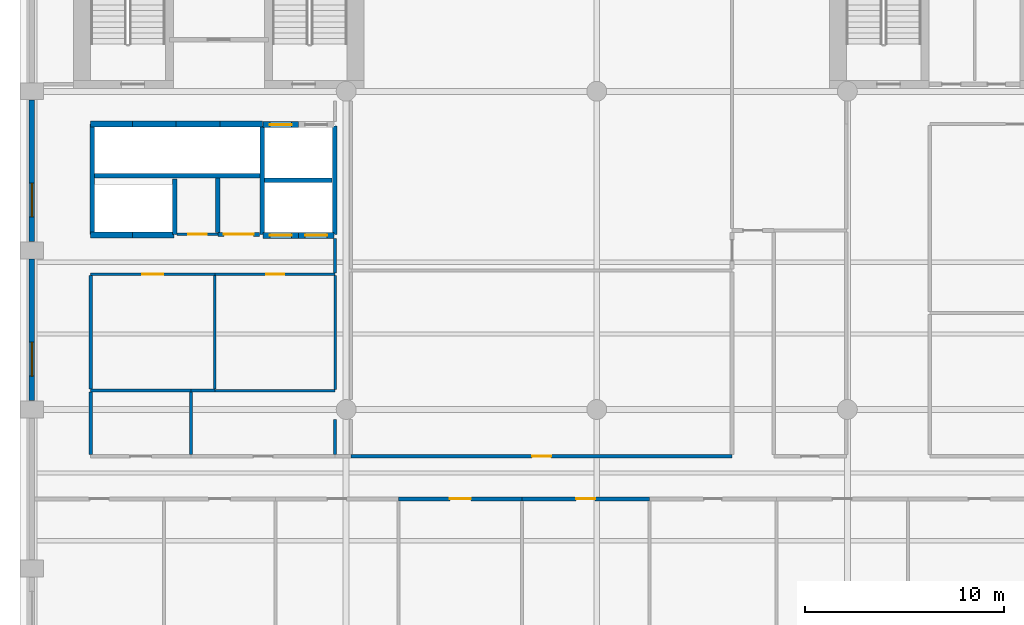
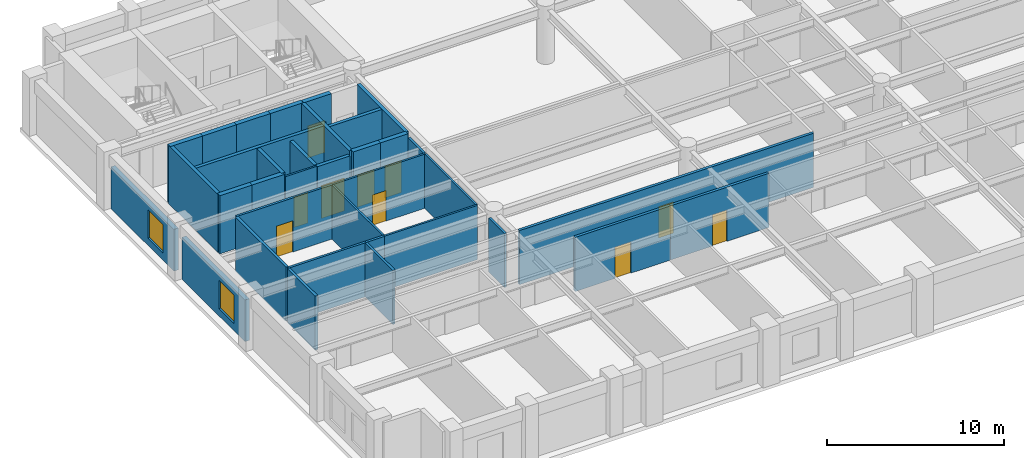
# One storey, part 3 of 8: 35 walls, 10 doors, 2 windows, 12 openings.
"""IFC4 building model written with IfcOpenShell, lengths in metres."""

from ifc_helpers import new_model, si_unit, direction, frame, frame_2d, origin, place, context, subcontext, project, spatial, rectangle, extrude, material, layer, layer_set, type_object, element, fill, save


model = new_model("IFC4")

# Units and contexts
model_context = context("Model", 3, precision=1e-05, world=origin(), true_north=direction((0.0, 1.0)))
body_context = subcontext(model_context, "Body", "Model", "MODEL_VIEW")
ifc_project = project(units=[si_unit("LENGTHUNIT", "METRE"), si_unit("AREAUNIT", "SQUARE_METRE"), si_unit("VOLUMEUNIT", "CUBIC_METRE"), si_unit("PLANEANGLEUNIT", "RADIAN"), si_unit("MASSUNIT", "GRAM", prefix="KILO")], contexts=[model_context])

# Site, building, storey
site_placement = place(None, origin())
site = spatial("IfcSite", under=ifc_project, at=site_placement, CompositionType="ELEMENT")
building_placement = place(site_placement, origin())
building = spatial("IfcBuilding", under=site, at=building_placement, Name="Sulina Concourse Tower", CompositionType="ELEMENT")
storey_placement = place(building_placement, frame((0.0, 0.0, 152.60009765625)))
storey = spatial("IfcBuildingStorey", under=building, at=storey_placement, Name="L37", CompositionType="ELEMENT", Elevation=152.60009765625)

# Walls
ifc_material_1 = material(Name="Concrete C50/60", Category="concrete")
ifc_layer_1 = layer(ifc_material_1, 0.219970703125)
ifc_layer_set_1 = layer_set([ifc_layer_1], Name="Concrete C50/60")
wall_type_1 = type_object("IfcWallType", Name="Core Lift Hoistway Divider Wall 220mm", PredefinedType="SOLIDWALL", material=ifc_layer_set_1)
wall_1_placement = place(storey_placement, frame((3.550048828125, 29.75, 0.0), z_axis=(0.0, 0.0, 1.0), x_axis=(1.0, 0.0, 0.0)))
element("IfcWall", 1, at=wall_1_placement, inside=storey, type_object=wall_type_1, Name="L37 shaft divider wall HW-LP3-S", PredefinedType="SOLIDWALL", context=body_context, shape_type="SweptSolid", body=[
    extrude(rectangle(XDim=8.64990234375, YDim=0.219970703125, at=frame_2d((4.324951171875, 0.0))), origin(), (0.0, 0.0, 1.0), 4.0),
])
wall_2_placement = place(storey_placement, frame((3.6298828125, 26.800048828125, 0.0), z_axis=(0.0, 0.0, 1.0), x_axis=(0.0, 1.0, 0.0)))
element("IfcWall", 2, at=wall_2_placement, inside=storey, type_object=wall_type_1, Name="L37 shaft divider wall HW-LP3-W", PredefinedType="SOLIDWALL", context=body_context, shape_type="SweptSolid", body=[
    extrude(rectangle(XDim=5.550048828125, YDim=0.219970703125, at=frame_2d((2.77490234375, 0.0))), origin(), (0.0, 0.0, 1.0), 4.0),
])
wall_3_placement = place(storey_placement, frame((7.780029296875, 26.800048828125, 0.0), z_axis=(0.0, 0.0, 1.0), x_axis=(0.0, 1.0, 0.0)))
element("IfcWall", 3, at=wall_3_placement, inside=storey, type_object=wall_type_1, Name="L37 shaft divider wall HW-EXP-E", PredefinedType="SOLIDWALL", context=body_context, shape_type="SweptSolid", body=[
    extrude(rectangle(XDim=2.800048828125, YDim=0.219970703125, at=frame_2d((1.39990234375, 0.0))), origin(), (0.0, 0.0, 1.0), 4.0),
])
for number, where, z_axis, x_axis, name in (
    (4, (12.179931640625, 26.800048828125, 0.0), (0.0, 0.0, 1.0), (0.0, 1.0, 0.0), "L37 shaft divider wall HW-LP2-W"),
    (5, (15.820068359375, 26.800048828125, 0.0), (0.0, 0.0, 1.0), (0.0, 1.0, 0.0), "L37 shaft divider wall HW-LP2-E"),
):
    element("IfcWall", number, at=place(storey_placement, frame(where, z_axis=z_axis, x_axis=x_axis)), inside=storey, type_object=wall_type_1, Name=name, PredefinedType="SOLIDWALL", context=body_context, shape_type="SweptSolid", body=[
        extrude(rectangle(XDim=5.449951171875, YDim=0.219970703125, at=frame_2d((2.72509765625, 0.0))), origin(), (0.0, 0.0, 1.0), 4.0),
    ])
wall_4_placement = place(storey_placement, frame((12.300048828125, 29.52001953125, 0.0), z_axis=(0.0, 0.0, 1.0), x_axis=(1.0, 0.0, 0.0)))
element("IfcWall", 6, at=wall_4_placement, inside=storey, type_object=wall_type_1, Name="L37 shaft divider wall HW-LP2-M", PredefinedType="SOLIDWALL", context=body_context, shape_type="SweptSolid", body=[
    extrude(rectangle(XDim=3.39990234375, YDim=0.219970703125, at=frame_2d((1.699951171875, 0.0))), origin(), (0.0, 0.0, 1.0), 4.0),
])

# Wall, opening, door
ifc_material_2 = material(Name="Concrete C50/60", Category="concrete")
ifc_layer_2 = layer(ifc_material_2, 0.300048828125)
ifc_layer_set_2 = layer_set([ifc_layer_2], Name="Concrete C50/60")
wall_type_2 = type_object("IfcWallType", Name="Core Lift Hoistway Wall 300mm", PredefinedType="SOLIDWALL", material=ifc_layer_set_2)
wall_5_placement = place(storey_placement, frame((14.0, 26.75, 0.0), z_axis=(0.0, 0.0, 1.0), x_axis=(-1.0, 0.0, 0.0)))
wall_5 = element("IfcWall", 7, at=wall_5_placement, inside=storey, type_object=wall_type_2, Name="L37 hoistway enclosure wall LP-05", PredefinedType="SOLIDWALL", context=body_context, shape_type="SweptSolid", body=[
    extrude(rectangle(XDim=1.780029296875, YDim=0.300048828125, at=frame_2d((0.89013671875, 0.0))), origin(), (0.0, 0.0, 1.0), 4.0),
])
opening_1_placement = place(wall_5_placement, frame((0.340087890625, 0.0, 0.0)))
opening_1 = element("IfcOpeningElement", 8, at=opening_1_placement, cuts=wall_5, Name="Opening LD-01", PredefinedType="OPENING", context=body_context, shape_type="SweptSolid", body=[
    extrude(rectangle(XDim=1.10009765625, YDim=2.199951171875, at=frame_2d((0.550048828125, 1.10009765625))), frame((0.0, 0.159912109375, 0.0), z_axis=(0.0, -1.0, 0.0), x_axis=(1.0, 0.0, 0.0)), (0.0, 0.0, 1.0), 0.320068359375),
])
ifc_material_3 = material(Name="Stainless steel lift landing door", Category="steel")
ifc_layer_3 = layer(ifc_material_3, 0.050048828125)
ifc_layer_set_3 = layer_set([ifc_layer_3], Name="Stainless steel lift landing door")
door_type_1 = type_object("IfcDoorType", Name="Passenger Lift Sliding Landing Door 1100x2200", OperationType="SLIDING_TO_LEFT", PredefinedType="DOOR", material=ifc_layer_set_3)
door_1_placement = place(opening_1_placement, origin())
door_1 = element("IfcDoor", 9, at=door_1_placement, inside=storey, type_object=door_type_1, Name="L37 lift landing sliding door LP-05", OperationType="SLIDING_TO_LEFT", OverallHeight=2.199951171875, OverallWidth=1.10009765625, PredefinedType="DOOR", context=body_context, shape_type="SweptSolid", body=[
    extrude(rectangle(XDim=1.10009765625, YDim=2.199951171875, at=frame_2d((0.550048828125, 1.10009765625))), frame((0.0, 0.02490234375, 0.0), z_axis=(0.0, -1.0, 0.0), x_axis=(1.0, 0.0, 0.0)), (0.0, 0.0, 1.0), 0.050048828125),
])
fill(opening_1, door_1)

wall_6_placement = place(storey_placement, frame((15.780029296875, 26.75, 0.0), z_axis=(0.0, 0.0, 1.0), x_axis=(-1.0, 0.0, 0.0)))
wall_6 = element("IfcWall", 10, at=wall_6_placement, inside=storey, type_object=wall_type_2, Name="L37 hoistway enclosure wall LP-06", PredefinedType="SOLIDWALL", context=body_context, shape_type="SweptSolid", body=[
    extrude(rectangle(XDim=1.780029296875, YDim=0.300048828125, at=frame_2d((0.89013671875, 0.0))), origin(), (0.0, 0.0, 1.0), 4.0),
])
opening_2_placement = place(wall_6_placement, frame((0.340087890625, 0.0, 0.0)))
opening_2 = element("IfcOpeningElement", 11, at=opening_2_placement, cuts=wall_6, Name="Opening LD-01", PredefinedType="OPENING", context=body_context, shape_type="SweptSolid", body=[
    extrude(rectangle(XDim=1.10009765625, YDim=2.199951171875, at=frame_2d((0.550048828125, 1.10009765625))), frame((0.0, 0.159912109375, 0.0), z_axis=(0.0, -1.0, 0.0), x_axis=(1.0, 0.0, 0.0)), (0.0, 0.0, 1.0), 0.320068359375),
])
door_2_placement = place(opening_2_placement, origin())
door_2 = element("IfcDoor", 12, at=door_2_placement, inside=storey, type_object=door_type_1, Name="L37 lift landing sliding door LP-06", OperationType="SLIDING_TO_RIGHT", OverallHeight=2.199951171875, OverallWidth=1.10009765625, PredefinedType="DOOR", context=body_context, shape_type="SweptSolid", body=[
    extrude(rectangle(XDim=1.10009765625, YDim=2.199951171875, at=frame_2d((0.550048828125, 1.10009765625))), frame((0.0, 0.02490234375, 0.0), z_axis=(0.0, -1.0, 0.0), x_axis=(1.0, 0.0, 0.0)), (0.0, 0.0, 1.0), 0.050048828125),
])
fill(opening_2, door_2)

wall_7_placement = place(storey_placement, frame((12.219970703125, 32.320068359375, 0.0), z_axis=(0.0, 0.0, 1.0), x_axis=(1.0, 0.0, 0.0)))
wall_7 = element("IfcWall", 13, at=wall_7_placement, inside=storey, type_object=wall_type_2, Name="L37 hoistway enclosure wall LP-07", PredefinedType="SOLIDWALL", context=body_context, shape_type="SweptSolid", body=[
    extrude(rectangle(XDim=1.780029296875, YDim=0.300048828125, at=frame_2d((0.89013671875, 0.0))), origin(), (0.0, 0.0, 1.0), 4.0),
])
opening_3_placement = place(wall_7_placement, frame((0.340087890625, 0.0, 0.0)))
opening_3 = element("IfcOpeningElement", 14, at=opening_3_placement, cuts=wall_7, Name="Opening LD-01", PredefinedType="OPENING", context=body_context, shape_type="SweptSolid", body=[
    extrude(rectangle(XDim=1.10009765625, YDim=2.199951171875, at=frame_2d((0.550048828125, 1.10009765625))), frame((0.0, 0.159912109375, 0.0), z_axis=(0.0, -1.0, 0.0), x_axis=(1.0, 0.0, 0.0)), (0.0, 0.0, 1.0), 0.320068359375),
])
door_3_placement = place(opening_3_placement, origin())
door_3 = element("IfcDoor", 15, at=door_3_placement, inside=storey, type_object=door_type_1, Name="L37 lift landing sliding door LP-07", OperationType="SLIDING_TO_LEFT", OverallHeight=2.199951171875, OverallWidth=1.10009765625, PredefinedType="DOOR", context=body_context, shape_type="SweptSolid", body=[
    extrude(rectangle(XDim=1.10009765625, YDim=2.199951171875, at=frame_2d((0.550048828125, 1.10009765625))), frame((0.0, 0.02490234375, 0.0), z_axis=(0.0, -1.0, 0.0), x_axis=(1.0, 0.0, 0.0)), (0.0, 0.0, 1.0), 0.050048828125),
])
fill(opening_3, door_3)

# Walls
wall_8_placement = place(storey_placement, frame((3.550048828125, 32.35009765625, 0.0), z_axis=(0.0, 0.0, 1.0), x_axis=(1.0, 0.0, 0.0)))
element("IfcWall", 16, at=wall_8_placement, inside=storey, type_object=wall_type_2, Name="L37 hoistway enclosure wall LP-09", PredefinedType="SOLIDWALL", context=body_context, shape_type="SweptSolid", body=[
    extrude(rectangle(XDim=2.099853515625, YDim=0.300048828125, at=frame_2d((1.0498046875, 0.0))), origin(), (0.0, 0.0, 1.0), 4.0),
])
wall_9_placement = place(storey_placement, frame((5.64990234375, 32.35009765625, 0.0), z_axis=(0.0, 0.0, 1.0), x_axis=(1.0, 0.0, 0.0)))
element("IfcWall", 17, at=wall_9_placement, inside=storey, type_object=wall_type_2, Name="L37 hoistway enclosure wall LP-10", PredefinedType="SOLIDWALL", context=body_context, shape_type="SweptSolid", body=[
    extrude(rectangle(XDim=2.2001953125, YDim=0.300048828125, at=frame_2d((1.10009765625, 0.0))), origin(), (0.0, 0.0, 1.0), 4.0),
])
wall_10_placement = place(storey_placement, frame((7.85009765625, 32.35009765625, 0.0), z_axis=(0.0, 0.0, 1.0), x_axis=(1.0, 0.0, 0.0)))
element("IfcWall", 18, at=wall_10_placement, inside=storey, type_object=wall_type_2, Name="L37 hoistway enclosure wall LP-11", PredefinedType="SOLIDWALL", context=body_context, shape_type="SweptSolid", body=[
    extrude(rectangle(XDim=2.199951171875, YDim=0.300048828125, at=frame_2d((1.10009765625, 0.0))), origin(), (0.0, 0.0, 1.0), 4.0),
])
wall_11_placement = place(storey_placement, frame((10.050048828125, 32.35009765625, 0.0), z_axis=(0.0, 0.0, 1.0), x_axis=(1.0, 0.0, 0.0)))
element("IfcWall", 19, at=wall_11_placement, inside=storey, type_object=wall_type_2, Name="L37 hoistway enclosure wall LP-12", PredefinedType="SOLIDWALL", context=body_context, shape_type="SweptSolid", body=[
    extrude(rectangle(XDim=2.14990234375, YDim=0.300048828125, at=frame_2d((1.074951171875, 0.0))), origin(), (0.0, 0.0, 1.0), 4.0),
])
wall_12_placement = place(storey_placement, frame((5.64990234375, 26.780029296875, 0.0), z_axis=(0.0, 0.0, 1.0), x_axis=(-1.0, 0.0, 0.0)))
element("IfcWall", 20, at=wall_12_placement, inside=storey, type_object=wall_type_2, Name="L37 hoistway enclosure wall EXP-1", PredefinedType="SOLIDWALL", context=body_context, shape_type="SweptSolid", body=[
    extrude(rectangle(XDim=2.099853515625, YDim=0.300048828125, at=frame_2d((1.0498046875, 0.0))), origin(), (0.0, 0.0, 1.0), 4.0),
])
wall_13_placement = place(storey_placement, frame((7.75, 26.780029296875, 0.0), z_axis=(0.0, 0.0, 1.0), x_axis=(-1.0, 0.0, 0.0)))
element("IfcWall", 21, at=wall_13_placement, inside=storey, type_object=wall_type_2, Name="L37 hoistway enclosure wall EXP-2", PredefinedType="SOLIDWALL", context=body_context, shape_type="SweptSolid", body=[
    extrude(rectangle(XDim=2.10009765625, YDim=0.300048828125, at=frame_2d((1.050048828125, 0.0))), origin(), (0.0, 0.0, 1.0), 4.0),
])

# Wall, opening, door
ifc_material_4 = material(Name="Gypsum board on steel stud", Category="steel")
ifc_layer_4 = layer(ifc_material_4, 0.219970703125)
ifc_layer_set_4 = layer_set([ifc_layer_4], Name="Gypsum board on steel stud")
wall_type_3 = type_object("IfcWallType", Name="Fire-Rated Lobby & Compartment Wall 220mm", PredefinedType="PARTITIONING", material=ifc_layer_set_4)
wall_14_placement = place(storey_placement, frame((9.949951171875, 26.800048828125, 0.0), z_axis=(0.0, 0.0, 1.0), x_axis=(1.0, 0.0, 0.0)))
wall_14 = element("IfcWall", 22, at=wall_14_placement, inside=storey, type_object=wall_type_3, Name="L37 interior partition 024", PredefinedType="PARTITIONING", context=body_context, shape_type="SweptSolid", body=[
    extrude(rectangle(XDim=2.10009765625, YDim=0.219970703125, at=frame_2d((1.050048828125, 0.0))), origin(), (0.0, 0.0, 1.0), 3.724853515625),
])
opening_4_placement = place(wall_14_placement, frame((0.300048828125, 0.0, 0.0)))
opening_4 = element("IfcOpeningElement", 23, at=opening_4_placement, cuts=wall_14, Name="Opening DR-80", PredefinedType="OPENING", context=body_context, shape_type="SweptSolid", body=[
    extrude(rectangle(XDim=1.5, YDim=2.25, at=frame_2d((0.75, 1.125))), frame((0.0, 0.119873046875, 0.0), z_axis=(0.0, -1.0, 0.0), x_axis=(1.0, 0.0, 0.0)), (0.0, 0.0, 1.0), 0.239990234375),
])
ifc_material_5 = material(Name="Galvanised steel acoustic fire leaf", Category="steel")
ifc_layer_5 = layer(ifc_material_5, 0.054931640625)
ifc_layer_set_5 = layer_set([ifc_layer_5], Name="Galvanised steel acoustic fire leaf")
door_type_2 = type_object("IfcDoorType", Name="Mechanical Plant Double Fire Door 1500x2250", OperationType="DOUBLE_DOOR_SINGLE_SWING", PredefinedType="DOOR", material=ifc_layer_set_5)
door_4_placement = place(opening_4_placement, origin())
door_4 = element("IfcDoor", 24, at=door_4_placement, inside=storey, type_object=door_type_2, Name="L37 interior door L37-IT-IDF", OperationType="DOUBLE_DOOR_SINGLE_SWING", OverallHeight=2.25, OverallWidth=1.5, PredefinedType="DOOR", context=body_context, shape_type="SweptSolid", body=[
    extrude(rectangle(XDim=1.5, YDim=2.25, at=frame_2d((0.75, 1.125))), frame((0.0, 0.02490234375, 0.0), z_axis=(0.0, -1.0, 0.0), x_axis=(1.0, 0.0, 0.0)), (0.0, 0.0, 1.0), 0.050048828125),
])
fill(opening_4, door_4)

# Walls
wall_15_placement = place(storey_placement, frame((9.949951171875, 26.909912109375, 0.0), z_axis=(0.0, 0.0, 1.0), x_axis=(0.0, 1.0, 0.0)))
element("IfcWall", 25, at=wall_15_placement, inside=storey, type_object=wall_type_3, Name="L37 interior partition 037", PredefinedType="PARTITIONING", context=body_context, shape_type="SweptSolid", body=[
    extrude(rectangle(XDim=2.72998046875, YDim=0.219970703125, at=frame_2d((1.364990234375, 0.0))), origin(), (0.0, 0.0, 1.0), 3.724853515625),
])
ifc_material_6 = material(Name="Gypsum board on steel stud", Category="steel")
ifc_layer_6 = layer(ifc_material_6, 0.14990234375)
ifc_layer_set_6 = layer_set([ifc_layer_6], Name="Gypsum board on steel stud")
wall_type_4 = type_object("IfcWallType", Name="Inter-Tenancy Acoustic Partition 150mm", PredefinedType="PARTITIONING", material=ifc_layer_set_6)
wall_16_placement = place(storey_placement, frame((3.550048828125, 18.949951171875, 0.0), z_axis=(0.0, 0.0, 1.0), x_axis=(1.0, 0.0, 0.0)))
element("IfcWall", 26, at=wall_16_placement, inside=storey, type_object=wall_type_4, Name="L37 interior partition 016", PredefinedType="PARTITIONING", context=body_context, shape_type="SweptSolid", body=[
    extrude(rectangle(XDim=5.050048828125, YDim=0.14990234375, at=frame_2d((2.52490234375, 0.0))), origin(), (0.0, 0.0, 1.0), 3.724853515625),
])
wall_17_placement = place(storey_placement, frame((8.60009765625, 18.949951171875, 0.0), z_axis=(0.0, 0.0, 1.0), x_axis=(1.0, 0.0, 0.0)))
element("IfcWall", 27, at=wall_17_placement, inside=storey, type_object=wall_type_4, Name="L37 interior partition 017", PredefinedType="PARTITIONING", context=body_context, shape_type="SweptSolid", body=[
    extrude(rectangle(XDim=1.199951171875, YDim=0.14990234375, at=frame_2d((0.60009765625, 0.0))), origin(), (0.0, 0.0, 1.0), 3.724853515625),
])

# Wall, opening, door
wall_18_placement = place(storey_placement, frame((3.550048828125, 24.800048828125, 0.0), z_axis=(0.0, 0.0, 1.0), x_axis=(1.0, 0.0, 0.0)))
wall_18 = element("IfcWall", 28, at=wall_18_placement, inside=storey, type_object=wall_type_4, Name="L37 interior partition 020", PredefinedType="PARTITIONING", context=body_context, shape_type="SweptSolid", body=[
    extrude(rectangle(XDim=6.25, YDim=0.14990234375, at=frame_2d((3.125, 0.0))), origin(), (0.0, 0.0, 1.0), 3.724853515625),
])
opening_5_placement = place(wall_18_placement, frame((2.60009765625, 0.0, 0.0)))
opening_5 = element("IfcOpeningElement", 29, at=opening_5_placement, cuts=wall_18, Name="Opening DR-37", PredefinedType="OPENING", context=body_context, shape_type="SweptSolid", body=[
    extrude(rectangle(XDim=1.050048828125, YDim=2.14990234375, at=frame_2d((0.52490234375, 1.074951171875))), frame((0.0, 0.0849609375, 0.0), z_axis=(0.0, -1.0, 0.0), x_axis=(1.0, 0.0, 0.0)), (0.0, 0.0, 1.0), 0.169921875),
])
ifc_material_7 = material(Name="Oak-veneered fire door leaf")
ifc_layer_7 = layer(ifc_material_7, 0.050048828125)
ifc_layer_set_7 = layer_set([ifc_layer_7], Name="Oak-veneered fire door leaf")
door_type_3 = type_object("IfcDoorType", Name="Tenant Suite Entrance Fire Door 1050x2150", OperationType="NOTDEFINED", PredefinedType="DOOR", material=ifc_layer_set_7)
door_5_placement = place(opening_5_placement, origin())
door_5 = element("IfcDoor", 30, at=door_5_placement, inside=storey, type_object=door_type_3, Name="L37 interior door L37-LR-MRG1", OperationType="SINGLE_SWING_RIGHT", OverallHeight=2.14990234375, OverallWidth=1.050048828125, PredefinedType="DOOR", context=body_context, shape_type="SweptSolid", body=[
    extrude(rectangle(XDim=1.050048828125, YDim=2.14990234375, at=frame_2d((0.52490234375, 1.074951171875))), frame((0.0, 0.02490234375, 0.0), z_axis=(0.0, -1.0, 0.0), x_axis=(1.0, 0.0, 0.0)), (0.0, 0.0, 1.0), 0.050048828125),
])
fill(opening_5, door_5)

# Walls
wall_19_placement = place(storey_placement, frame((8.60009765625, 15.739990234375, 0.0), z_axis=(0.0, 0.0, 1.0), x_axis=(0.0, 1.0, 0.0)))
element("IfcWall", 31, at=wall_19_placement, inside=storey, type_object=wall_type_4, Name="L37 interior partition 035", PredefinedType="PARTITIONING", context=body_context, shape_type="SweptSolid", body=[
    extrude(rectangle(XDim=3.135009765625, YDim=0.14990234375, at=frame_2d((1.5673828125, 0.0))), origin(), (0.0, 0.0, 1.0), 3.724853515625),
])
wall_20_placement = place(storey_placement, frame((15.85009765625, 15.739990234375, 0.0), z_axis=(0.0, 0.0, 1.0), x_axis=(0.0, 1.0, 0.0)))
element("IfcWall", 32, at=wall_20_placement, inside=storey, type_object=wall_type_4, Name="L37 interior partition 039", PredefinedType="PARTITIONING", context=body_context, shape_type="SweptSolid", body=[
    extrude(rectangle(XDim=1.760009765625, YDim=0.14990234375, at=frame_2d((0.8798828125, 0.0))), origin(), (0.0, 0.0, 1.0), 3.724853515625),
])
wall_21_placement = place(storey_placement, frame((15.85009765625, 24.862548828125, 0.0), z_axis=(0.0, 0.0, 1.0), x_axis=(0.0, 1.0, 0.0)))
element("IfcWall", 33, at=wall_21_placement, inside=storey, type_object=wall_type_4, Name="L37 interior partition 041", PredefinedType="PARTITIONING", context=body_context, shape_type="SweptSolid", body=[
    extrude(rectangle(XDim=1.737548828125, YDim=0.14990234375, at=frame_2d((0.86865234375, 0.0))), origin(), (0.0, 0.0, 1.0), 3.724853515625),
])

# Wall, opening, door
ifc_material_8 = material(Name="Gypsum board on steel stud", Category="steel")
ifc_layer_8 = layer(ifc_material_8, 0.179931640625)
ifc_layer_set_8 = layer_set([ifc_layer_8], Name="Gypsum board on steel stud")
wall_type_5 = type_object("IfcWallType", Name="Protected Corridor & Riser Partition 180mm", PredefinedType="PARTITIONING", material=ifc_layer_set_8)
wall_22_placement = place(storey_placement, frame((19.0400390625, 13.5, 0.0), z_axis=(0.0, 0.0, 1.0), x_axis=(1.0, 0.0, 0.0)))
wall_22 = element("IfcWall", 34, at=wall_22_placement, inside=storey, type_object=wall_type_5, Name="L37 interior partition 004", PredefinedType="PARTITIONING", context=body_context, shape_type="SweptSolid", body=[
    extrude(rectangle(XDim=6.199951171875, YDim=0.179931640625, at=frame_2d((3.10009765625, 0.0))), origin(), (0.0, 0.0, 1.0), 3.724853515625),
])
opening_6_placement = place(wall_22_placement, frame((2.574951171875, 0.0, 0.0)))
opening_6 = element("IfcOpeningElement", 35, at=opening_6_placement, cuts=wall_22, Name="Opening DR-37", PredefinedType="OPENING", context=body_context, shape_type="SweptSolid", body=[
    extrude(rectangle(XDim=1.050048828125, YDim=2.14990234375, at=frame_2d((0.52490234375, 1.074951171875))), frame((0.0, 0.099853515625, 0.0), z_axis=(0.0, -1.0, 0.0), x_axis=(1.0, 0.0, 0.0)), (0.0, 0.0, 1.0), 0.199951171875),
])
door_6_placement = place(opening_6_placement, origin())
door_6 = element("IfcDoor", 36, at=door_6_placement, inside=storey, type_object=door_type_3, Name="L37 interior door L37-S04", OperationType="SINGLE_SWING_LEFT", OverallHeight=2.14990234375, OverallWidth=1.050048828125, PredefinedType="DOOR", context=body_context, shape_type="SweptSolid", body=[
    extrude(rectangle(XDim=1.050048828125, YDim=2.14990234375, at=frame_2d((0.52490234375, 1.074951171875))), frame((0.0, 0.02490234375, 0.0), z_axis=(0.0, -1.0, 0.0), x_axis=(1.0, 0.0, 0.0)), (0.0, 0.0, 1.0), 0.050048828125),
])
fill(opening_6, door_6)

wall_23_placement = place(storey_placement, frame((25.239990234375, 13.5, 0.0), z_axis=(0.0, 0.0, 1.0), x_axis=(1.0, 0.0, 0.0)))
wall_23 = element("IfcWall", 37, at=wall_23_placement, inside=storey, type_object=wall_type_5, Name="L37 interior partition 005", PredefinedType="PARTITIONING", context=body_context, shape_type="SweptSolid", body=[
    extrude(rectangle(XDim=6.39990234375, YDim=0.179931640625, at=frame_2d((3.199951171875, 0.0))), origin(), (0.0, 0.0, 1.0), 3.724853515625),
])
opening_7_placement = place(wall_23_placement, frame((2.72509765625, 0.0, 0.0)))
opening_7 = element("IfcOpeningElement", 38, at=opening_7_placement, cuts=wall_23, Name="Opening DR-19", PredefinedType="OPENING", context=body_context, shape_type="SweptSolid", body=[
    extrude(rectangle(XDim=0.949951171875, YDim=2.14990234375, at=frame_2d((0.47509765625, 1.074951171875))), frame((0.0, 0.099853515625, 0.0), z_axis=(0.0, -1.0, 0.0), x_axis=(1.0, 0.0, 0.0)), (0.0, 0.0, 1.0), 0.199951171875),
])
ifc_material_9 = material(Name="Oak-veneered acoustic timber leaf", Category="wood")
ifc_layer_9 = layer(ifc_material_9, 0.050048828125)
ifc_layer_set_9 = layer_set([ifc_layer_9], Name="Oak-veneered acoustic timber leaf")
door_type_4 = type_object("IfcDoorType", Name="Cellular Office & Meeting Door 950x2150", OperationType="NOTDEFINED", PredefinedType="DOOR", material=ifc_layer_set_9)
door_7_placement = place(opening_7_placement, origin())
door_7 = element("IfcDoor", 39, at=door_7_placement, inside=storey, type_object=door_type_4, Name="L37 interior door L37-S05", OperationType="SINGLE_SWING_RIGHT", OverallHeight=2.14990234375, OverallWidth=0.949951171875, PredefinedType="DOOR", context=body_context, shape_type="SweptSolid", body=[
    extrude(rectangle(XDim=0.949951171875, YDim=2.14990234375, at=frame_2d((0.47509765625, 1.074951171875))), frame((0.0, 0.02490234375, 0.0), z_axis=(0.0, -1.0, 0.0), x_axis=(1.0, 0.0, 0.0)), (0.0, 0.0, 1.0), 0.050048828125),
])
fill(opening_7, door_7)

wall_24_placement = place(storey_placement, frame((16.64990234375, 15.64990234375, 0.0), z_axis=(0.0, 0.0, 1.0), x_axis=(1.0, 0.0, 0.0)))
wall_24 = element("IfcWall", 40, at=wall_24_placement, inside=storey, type_object=wall_type_5, Name="L37 interior partition 013", PredefinedType="PARTITIONING", context=body_context, shape_type="SweptSolid", body=[
    extrude(rectangle(XDim=19.150146484375, YDim=0.179931640625, at=frame_2d((9.5751953125, 0.0))), origin(), (0.0, 0.0, 1.0), 3.724853515625),
])
opening_8_placement = place(wall_24_placement, frame((9.10009765625, 0.0, 0.0)))
opening_8 = element("IfcOpeningElement", 41, at=opening_8_placement, cuts=wall_24, Name="Opening DR-19", PredefinedType="OPENING", context=body_context, shape_type="SweptSolid", body=[
    extrude(rectangle(XDim=0.949951171875, YDim=2.14990234375, at=frame_2d((0.47509765625, 1.074951171875))), frame((0.0, 0.099853515625, 0.0), z_axis=(0.0, -1.0, 0.0), x_axis=(1.0, 0.0, 0.0)), (0.0, 0.0, 1.0), 0.199951171875),
])
door_8_placement = place(opening_8_placement, origin())
door_8 = element("IfcDoor", 42, at=door_8_placement, inside=storey, type_object=door_type_4, Name="L37 interior door L37-NC1", OperationType="SINGLE_SWING_LEFT", OverallHeight=2.14990234375, OverallWidth=0.949951171875, PredefinedType="DOOR", context=body_context, shape_type="SweptSolid", body=[
    extrude(rectangle(XDim=0.949951171875, YDim=2.14990234375, at=frame_2d((0.47509765625, 1.074951171875))), frame((0.0, 0.02490234375, 0.0), z_axis=(0.0, -1.0, 0.0), x_axis=(1.0, 0.0, 0.0)), (0.0, 0.0, 1.0), 0.050048828125),
])
fill(opening_8, door_8)

# Walls
wall_25_placement = place(storey_placement, frame((3.550048828125, 15.739990234375, 0.0), z_axis=(0.0, 0.0, 1.0), x_axis=(0.0, 1.0, 0.0)))
element("IfcWall", 43, at=wall_25_placement, inside=storey, type_object=wall_type_5, Name="L37 interior partition 032", PredefinedType="PARTITIONING", context=body_context, shape_type="SweptSolid", body=[
    extrude(rectangle(XDim=3.135009765625, YDim=0.179931640625, at=frame_2d((1.5673828125, 0.0))), origin(), (0.0, 0.0, 1.0), 3.724853515625),
])
wall_26_placement = place(storey_placement, frame((3.550048828125, 19.02490234375, 0.0), z_axis=(0.0, 0.0, 1.0), x_axis=(0.0, 1.0, 0.0)))
element("IfcWall", 44, at=wall_26_placement, inside=storey, type_object=wall_type_5, Name="L37 interior partition 033", PredefinedType="PARTITIONING", context=body_context, shape_type="SweptSolid", body=[
    extrude(rectangle(XDim=5.7001953125, YDim=0.179931640625, at=frame_2d((2.85009765625, 0.0))), origin(), (0.0, 0.0, 1.0), 3.724853515625),
])

# Wall, opening, window
ifc_material_10 = material(Name="Precast concrete C50/60", Category="concrete")
ifc_layer_10 = layer(ifc_material_10, 0.280029296875)
ifc_layer_set_10 = layer_set([ifc_layer_10], Name="Precast concrete C50/60")
wall_type_6 = type_object("IfcWallType", Name="Typical Precast Masonry-Frame Facade Wall 280mm", PredefinedType="SOLIDWALL", material=ifc_layer_set_10)
wall_27_placement = place(storey_placement, frame((0.60009765625, 18.445068359375, 0.0), z_axis=(0.0, 0.0, 1.0), x_axis=(0.0, 1.0, 0.0)))
wall_27 = element("IfcWall", 45, at=wall_27_placement, inside=storey, type_object=wall_type_6, Name="L37 exterior precast wall W3", PredefinedType="SOLIDWALL", context=body_context, shape_type="SweptSolid", body=[
    extrude(rectangle(XDim=7.10986328125, YDim=0.280029296875, at=frame_2d((3.554931640625, 0.0))), origin(), (0.0, 0.0, 1.0), 2.875),
])
opening_9_placement = place(wall_27_placement, frame((1.23681640625, 0.0, 0.5)))
opening_9 = element("IfcOpeningElement", 46, at=opening_9_placement, cuts=wall_27, Name="Opening WN-66", PredefinedType="OPENING", context=body_context, shape_type="SweptSolid", body=[
    extrude(rectangle(XDim=1.699951171875, YDim=1.949951171875, at=frame_2d((0.85009765625, 0.97509765625))), frame((0.0, 0.14990234375, 0.0), z_axis=(0.0, -1.0, 0.0), x_axis=(1.0, 0.0, 0.0)), (0.0, 0.0, 1.0), 0.300048828125),
])
ifc_material_11 = material(Name="Low-E solar double glazing in bronze aluminium", Category="aluminium")
window_type = type_object("IfcWindowType", Name="Recessed Spandrel Window 1700x1950", PartitioningType="SINGLE_PANEL", PredefinedType="WINDOW", material=ifc_material_11)
window_1_placement = place(opening_9_placement, origin())
window_1 = element("IfcWindow", 47, at=window_1_placement, inside=storey, type_object=window_type, Name="L37 punched window W3-1", OverallHeight=1.949951171875, OverallWidth=1.699951171875, PartitioningType="SINGLE_PANEL", PredefinedType="WINDOW", context=body_context, shape_type="SweptSolid", body=[
    extrude(rectangle(XDim=1.699951171875, YDim=1.949951171875, at=frame_2d((0.85009765625, 0.97509765625))), frame((0.0, 0.030029296875, 0.0), z_axis=(0.0, -1.0, 0.0), x_axis=(1.0, 0.0, 0.0)), (0.0, 0.0, 1.0), 0.06005859375),
])
fill(opening_9, window_1)

wall_28_placement = place(storey_placement, frame((0.60009765625, 26.445068359375, 0.0), z_axis=(0.0, 0.0, 1.0), x_axis=(0.0, 1.0, 0.0)))
wall_28 = element("IfcWall", 48, at=wall_28_placement, inside=storey, type_object=wall_type_6, Name="L37 exterior precast wall W4", PredefinedType="SOLIDWALL", context=body_context, shape_type="SweptSolid", body=[
    extrude(rectangle(XDim=7.10986328125, YDim=0.280029296875, at=frame_2d((3.554931640625, 0.0))), origin(), (0.0, 0.0, 1.0), 2.875),
])
opening_10_placement = place(wall_28_placement, frame((1.23681640625, 0.0, 0.5)))
opening_10 = element("IfcOpeningElement", 49, at=opening_10_placement, cuts=wall_28, Name="Opening WN-66", PredefinedType="OPENING", context=body_context, shape_type="SweptSolid", body=[
    extrude(rectangle(XDim=1.699951171875, YDim=1.949951171875, at=frame_2d((0.85009765625, 0.97509765625))), frame((0.0, 0.14990234375, 0.0), z_axis=(0.0, -1.0, 0.0), x_axis=(1.0, 0.0, 0.0)), (0.0, 0.0, 1.0), 0.300048828125),
])
window_2_placement = place(opening_10_placement, origin())
window_2 = element("IfcWindow", 50, at=window_2_placement, inside=storey, type_object=window_type, Name="L37 punched window W4-1", OverallHeight=1.949951171875, OverallWidth=1.699951171875, PartitioningType="SINGLE_PANEL", PredefinedType="WINDOW", context=body_context, shape_type="SweptSolid", body=[
    extrude(rectangle(XDim=1.699951171875, YDim=1.949951171875, at=frame_2d((0.85009765625, 0.97509765625))), frame((0.0, 0.030029296875, 0.0), z_axis=(0.0, -1.0, 0.0), x_axis=(1.0, 0.0, 0.0)), (0.0, 0.0, 1.0), 0.06005859375),
])
fill(opening_10, window_2)

# Wall
ifc_material_12 = material(Name="Gypsum board on steel stud", Category="steel")
ifc_layer_11 = layer(ifc_material_12, 0.125)
ifc_layer_set_11 = layer_set([ifc_layer_11], Name="Gypsum board on steel stud")
wall_type_7 = type_object("IfcWallType", Name="Wet-Area Moisture-Resistant Partition 125mm", PredefinedType="PARTITIONING", material=ifc_layer_set_11)
wall_29_placement = place(storey_placement, frame((9.800048828125, 18.949951171875, 0.0), z_axis=(0.0, 0.0, 1.0), x_axis=(1.0, 0.0, 0.0)))
element("IfcWall", 51, at=wall_29_placement, inside=storey, type_object=wall_type_7, Name="L37 interior partition 018", PredefinedType="PARTITIONING", context=body_context, shape_type="SweptSolid", body=[
    extrude(rectangle(XDim=6.050048828125, YDim=0.125, at=frame_2d((3.02490234375, 0.0))), origin(), (0.0, 0.0, 1.0), 3.724853515625),
])

# Wall, opening, door
wall_30_placement = place(storey_placement, frame((9.800048828125, 24.800048828125, 0.0), z_axis=(0.0, 0.0, 1.0), x_axis=(1.0, 0.0, 0.0)))
wall_30 = element("IfcWall", 52, at=wall_30_placement, inside=storey, type_object=wall_type_7, Name="L37 interior partition 021", PredefinedType="PARTITIONING", context=body_context, shape_type="SweptSolid", body=[
    extrude(rectangle(XDim=6.050048828125, YDim=0.125, at=frame_2d((3.02490234375, 0.0))), origin(), (0.0, 0.0, 1.0), 3.724853515625),
])
opening_11_placement = place(wall_30_placement, frame((2.574951171875, 0.0, 0.0)))
opening_11 = element("IfcOpeningElement", 53, at=opening_11_placement, cuts=wall_30, Name="Opening DR-21", PredefinedType="OPENING", context=body_context, shape_type="SweptSolid", body=[
    extrude(rectangle(XDim=0.89990234375, YDim=2.10009765625, at=frame_2d((0.449951171875, 1.050048828125))), frame((0.0, 0.072509765625, 0.0), z_axis=(0.0, -1.0, 0.0), x_axis=(1.0, 0.0, 0.0)), (0.0, 0.0, 1.0), 0.14501953125),
])
ifc_material_13 = material(Name="Oak-veneered fire door leaf")
ifc_layer_12 = layer(ifc_material_13, 0.050048828125)
ifc_layer_set_12 = layer_set([ifc_layer_12], Name="Oak-veneered fire door leaf")
door_type_5 = type_object("IfcDoorType", Name="Restroom & Service Door 900x2100", OperationType="NOTDEFINED", PredefinedType="DOOR", material=ifc_layer_set_12)
door_9_placement = place(opening_11_placement, origin())
door_9 = element("IfcDoor", 54, at=door_9_placement, inside=storey, type_object=door_type_5, Name="L37 interior door L37-LR-MRG2", OperationType="SINGLE_SWING_LEFT", OverallHeight=2.10009765625, OverallWidth=0.89990234375, PredefinedType="DOOR", context=body_context, shape_type="SweptSolid", body=[
    extrude(rectangle(XDim=0.89990234375, YDim=2.10009765625, at=frame_2d((0.449951171875, 1.050048828125))), frame((0.0, 0.02490234375, 0.0), z_axis=(0.0, -1.0, 0.0), x_axis=(1.0, 0.0, 0.0)), (0.0, 0.0, 1.0), 0.050048828125),
])
fill(opening_11, door_9)

wall_31_placement = place(storey_placement, frame((7.889892578125, 26.800048828125, 0.0), z_axis=(0.0, 0.0, 1.0), x_axis=(1.0, 0.0, 0.0)))
wall_31 = element("IfcWall", 55, at=wall_31_placement, inside=storey, type_object=wall_type_7, Name="L37 interior partition 023", PredefinedType="PARTITIONING", context=body_context, shape_type="SweptSolid", body=[
    extrude(rectangle(XDim=2.06005859375, YDim=0.125, at=frame_2d((1.030029296875, 0.0))), origin(), (0.0, 0.0, 1.0), 3.724853515625),
])
opening_12_placement = place(wall_31_placement, frame((0.570068359375, 0.0, 0.0)))
opening_12 = element("IfcOpeningElement", 56, at=opening_12_placement, cuts=wall_31, Name="Opening DR-61", PredefinedType="OPENING", context=body_context, shape_type="SweptSolid", body=[
    extrude(rectangle(XDim=0.919921875, YDim=2.10009765625, at=frame_2d((0.4599609375, 1.050048828125))), frame((0.0, 0.072509765625, 0.0), z_axis=(0.0, -1.0, 0.0), x_axis=(1.0, 0.0, 0.0)), (0.0, 0.0, 1.0), 0.14501953125),
])
ifc_material_14 = material(Name="Oak-veneered fire door leaf")
ifc_layer_13 = layer(ifc_material_14, 0.050048828125)
ifc_layer_set_13 = layer_set([ifc_layer_13], Name="Oak-veneered fire door leaf")
door_type_6 = type_object("IfcDoorType", Name="Accessible WC Door 920x2100", OperationType="NOTDEFINED", PredefinedType="DOOR", material=ifc_layer_set_13)
door_10_placement = place(opening_12_placement, origin())
door_10 = element("IfcDoor", 57, at=door_10_placement, inside=storey, type_object=door_type_6, Name="L37 interior door L37-WC-ACC", OperationType="SINGLE_SWING_RIGHT", OverallHeight=2.10009765625, OverallWidth=0.919921875, PredefinedType="DOOR", context=body_context, shape_type="SweptSolid", body=[
    extrude(rectangle(XDim=0.919921875, YDim=2.10009765625, at=frame_2d((0.4599609375, 1.050048828125))), frame((0.0, 0.02490234375, 0.0), z_axis=(0.0, -1.0, 0.0), x_axis=(1.0, 0.0, 0.0)), (0.0, 0.0, 1.0), 0.050048828125),
])
fill(opening_12, door_10)

# Walls
wall_32_placement = place(storey_placement, frame((9.800048828125, 19.02490234375, 0.0), z_axis=(0.0, 0.0, 1.0), x_axis=(0.0, 1.0, 0.0)))
element("IfcWall", 58, at=wall_32_placement, inside=storey, type_object=wall_type_7, Name="L37 interior partition 036", PredefinedType="PARTITIONING", context=body_context, shape_type="SweptSolid", body=[
    extrude(rectangle(XDim=5.7001953125, YDim=0.125, at=frame_2d((2.85009765625, 0.0))), origin(), (0.0, 0.0, 1.0), 3.724853515625),
])
wall_33_placement = place(storey_placement, frame((15.85009765625, 19.012451171875, 0.0), z_axis=(0.0, 0.0, 1.0), x_axis=(0.0, 1.0, 0.0)))
element("IfcWall", 59, at=wall_33_placement, inside=storey, type_object=wall_type_7, Name="L37 interior partition 040", PredefinedType="PARTITIONING", context=body_context, shape_type="SweptSolid", body=[
    extrude(rectangle(XDim=5.72509765625, YDim=0.125, at=frame_2d((2.862548828125, 0.0))), origin(), (0.0, 0.0, 1.0), 3.724853515625),
])

save(model, "model.ifc")
